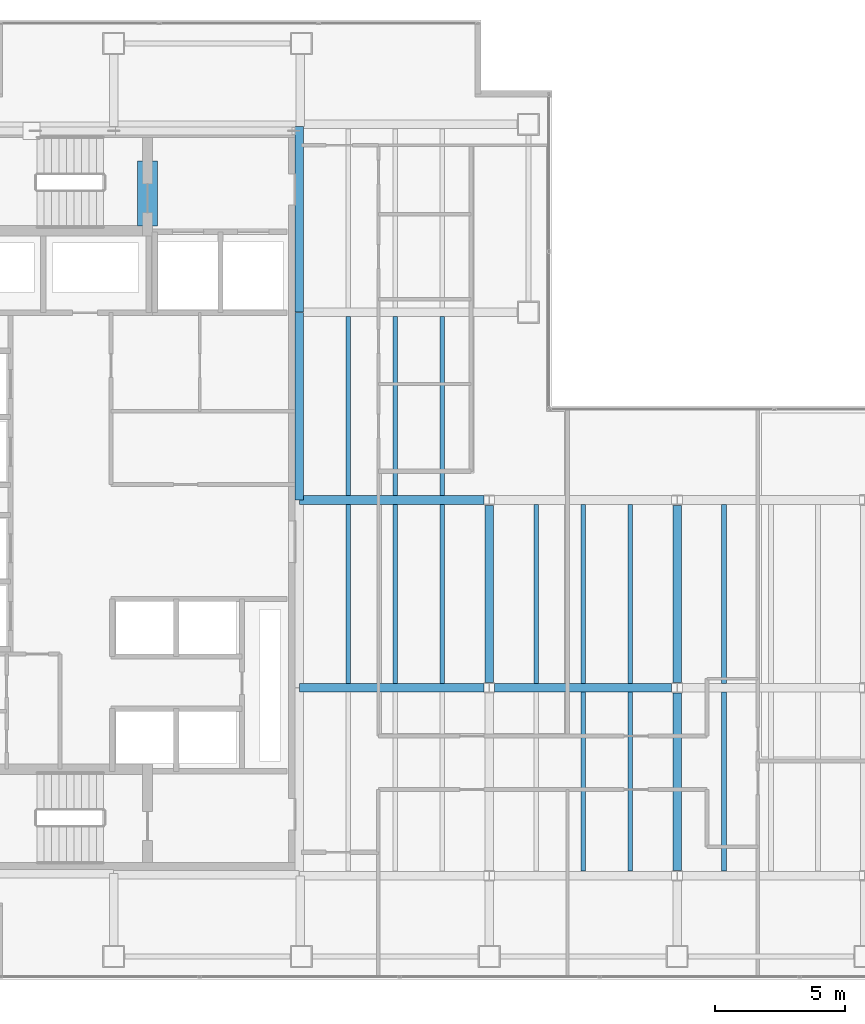
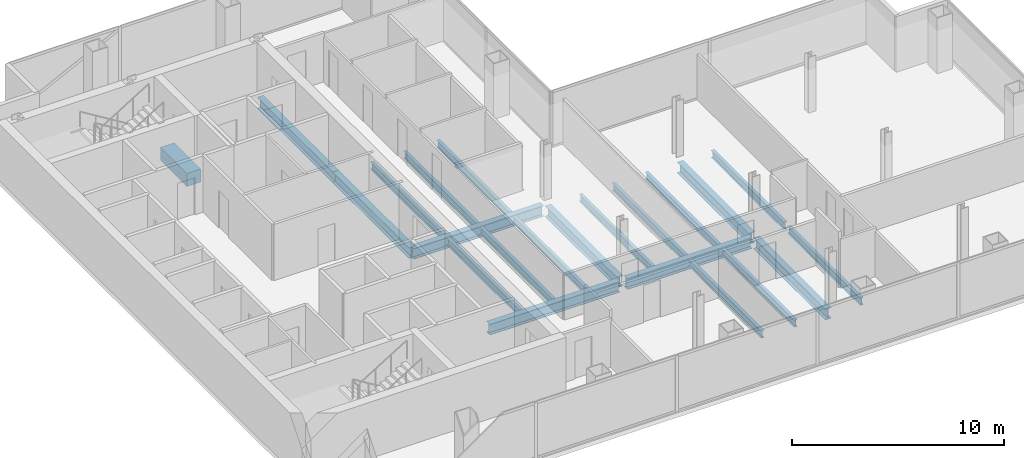
# One storey, part 7 of 23: 22 beams.
"""IFC4 building model written with IfcOpenShell, lengths in metres."""

from ifc_helpers import new_model, si_unit, direction, frame, origin, origin_2d, place, context, subcontext, project, spatial, rectangle, i_section, extrude, material, material_profile, profile_set, type_object, element, save


model = new_model("IFC4")

# Units and contexts
model_context = context("Model", 3, precision=1e-05, world=origin(), true_north=direction((0.0, 1.0)))
body_context = subcontext(model_context, "Body", "Model", "MODEL_VIEW")
ifc_project = project(units=[si_unit("LENGTHUNIT", "METRE"), si_unit("AREAUNIT", "SQUARE_METRE"), si_unit("VOLUMEUNIT", "CUBIC_METRE"), si_unit("PLANEANGLEUNIT", "RADIAN"), si_unit("MASSUNIT", "GRAM", prefix="KILO")], contexts=[model_context])

# Site, building, storey
site_placement = place(None, origin())
site = spatial("IfcSite", under=ifc_project, at=site_placement, CompositionType="ELEMENT")
building_placement = place(site_placement, origin())
building = spatial("IfcBuilding", under=site, at=building_placement, Name="Cobrela Telecom Tower", CompositionType="ELEMENT")
storey_placement = place(building_placement, frame((0.0, 0.0, 173.25)))
storey = spatial("IfcBuildingStorey", under=building, at=storey_placement, Name="L43", CompositionType="ELEMENT", Elevation=173.25)

# Beams
ifc_material_1 = material(Name="Concrete C40/50", Category="concrete")
ifc_material_profile_1 = material_profile(ifc_material_1, rectangle(XDim=0.75, YDim=0.75, at=origin_2d()), Name="RC 750x750")
ifc_profile_set_1 = profile_set([ifc_material_profile_1], Name="Concrete C40/50")
beam_type_1 = type_object("IfcBeamType", Name="BM-COUP-RC", PredefinedType="LINTEL", material=ifc_profile_set_1)
beam_1_placement = place(storey_placement, frame((8.5, 32.10009765625, -0.610107421875), z_axis=(0.0, 1.0, 0.0), x_axis=(-1.0, 0.0, 0.0)))
element("IfcBeam", 1, at=beam_1_placement, inside=storey, type_object=beam_type_1, Name="L43 Core Coupling Lintel Beam", PredefinedType="LINTEL", context=body_context, shape_type="SweptSolid", body=[
    extrude(rectangle(XDim=0.75, YDim=0.75, at=origin_2d()), origin(), (0.0, 0.0, 1.0), 2.5),
])
ifc_material_2 = material(Name="Steel ASTM A992 Grade 50", Category="steel")
ifc_material_profile_2 = material_profile(ifc_material_2, i_section(OverallWidth=0.327880859375, OverallDepth=0.6220703125, WebThickness=0.015380859375, FlangeThickness=0.0244140625, FilletRadius=0.014892578125, at=origin_2d()), Name="W24X131")
ifc_profile_set_2 = profile_set([ifc_material_profile_2], Name="Steel ASTM A992 Grade 50")
beam_type_2 = type_object("IfcBeamType", Name="BM-GIRD-06", PredefinedType="USERDEFINED", material=ifc_profile_set_2)
beam_2_placement = place(storey_placement, frame((14.324951171875, 14.39990234375, -0.571044921875), z_axis=(1.0, 0.0, 0.0), x_axis=(0.0, 1.0, 0.0)))
element("IfcBeam", 2, at=beam_2_placement, inside=storey, type_object=beam_type_2, Name="L43 Primary Girder X11", ObjectType="GIRDER", PredefinedType="USERDEFINED", context=body_context, shape_type="SweptSolid", body=[
    extrude(i_section(OverallWidth=0.327880859375, OverallDepth=0.6220703125, WebThickness=0.015380859375, FlangeThickness=0.0244140625, FilletRadius=0.014892578125, at=origin_2d()), origin(), (0.0, 0.0, 1.0), 7.070556640625),
])
beam_3_placement = place(storey_placement, frame((21.804443359375, 14.39990234375, -0.571044921875), z_axis=(1.0, 0.0, 0.0), x_axis=(0.0, 1.0, 0.0)))
element("IfcBeam", 3, at=beam_3_placement, inside=storey, type_object=beam_type_2, Name="L43 Primary Girder X12", ObjectType="GIRDER", PredefinedType="USERDEFINED", context=body_context, shape_type="SweptSolid", body=[
    extrude(i_section(OverallWidth=0.327880859375, OverallDepth=0.6220703125, WebThickness=0.015380859375, FlangeThickness=0.0244140625, FilletRadius=0.014892578125, at=origin_2d()), origin(), (0.0, 0.0, 1.0), 6.791015625),
])
beam_4_placement = place(storey_placement, frame((14.324951171875, 21.60009765625, -0.571044921875), z_axis=(1.0, 0.0, 0.0), x_axis=(0.0, 1.0, 0.0)))
element("IfcBeam", 4, at=beam_4_placement, inside=storey, type_object=beam_type_2, Name="L43 Primary Girder X15", ObjectType="GIRDER", PredefinedType="USERDEFINED", context=body_context, shape_type="SweptSolid", body=[
    extrude(i_section(OverallWidth=0.327880859375, OverallDepth=0.6220703125, WebThickness=0.015380859375, FlangeThickness=0.0244140625, FilletRadius=0.014892578125, at=origin_2d()), origin(), (0.0, 0.0, 1.0), 7.070556640625),
])
beam_5_placement = place(storey_placement, frame((14.320068359375, 21.60498046875, -0.571044921875), z_axis=(0.0, 1.0, 0.0), x_axis=(-1.0, 0.0, 0.0)))
element("IfcBeam", 5, at=beam_5_placement, inside=storey, type_object=beam_type_2, Name="L43 Primary Girder Y29", ObjectType="GIRDER", PredefinedType="USERDEFINED", context=body_context, shape_type="SweptSolid", body=[
    extrude(i_section(OverallWidth=0.327880859375, OverallDepth=0.6220703125, WebThickness=0.015380859375, FlangeThickness=0.0244140625, FilletRadius=0.014892578125, at=origin_2d()), origin(), (0.0, 0.0, 1.0), 7.18994140625),
])
beam_6_placement = place(storey_placement, frame((14.320068359375, 28.804931640625, -0.571044921875), z_axis=(0.0, 1.0, 0.0), x_axis=(-1.0, 0.0, 0.0)))
element("IfcBeam", 6, at=beam_6_placement, inside=storey, type_object=beam_type_2, Name="L43 Primary Girder Y30", ObjectType="GIRDER", PredefinedType="USERDEFINED", context=body_context, shape_type="SweptSolid", body=[
    extrude(i_section(OverallWidth=0.327880859375, OverallDepth=0.6220703125, WebThickness=0.015380859375, FlangeThickness=0.0244140625, FilletRadius=0.014892578125, at=origin_2d()), origin(), (0.0, 0.0, 1.0), 7.110107421875),
])
for number, where, z_axis, x_axis, name in (
    (7, (21.60009765625, 14.6044921875, -0.571044921875), (0.0, 1.0, 0.0), (-1.0, 0.0, 0.0), "L43 Primary Girder Y34"),
    (8, (28.800048828125, 7.404541015625, -0.571044921875), (0.0, 1.0, 0.0), (-1.0, 0.0, 0.0), "L43 Primary Girder Y37"),
    (9, (28.800048828125, 14.6044921875, -0.571044921875), (0.0, 1.0, 0.0), (-1.0, 0.0, 0.0), "L43 Primary Girder Y38"),
):
    element("IfcBeam", number, at=place(storey_placement, frame(where, z_axis=z_axis, x_axis=x_axis)), inside=storey, type_object=beam_type_2, Name=name, ObjectType="GIRDER", PredefinedType="USERDEFINED", context=body_context, shape_type="SweptSolid", body=[
        extrude(i_section(OverallWidth=0.327880859375, OverallDepth=0.6220703125, WebThickness=0.015380859375, FlangeThickness=0.0244140625, FilletRadius=0.014892578125, at=origin_2d()), origin(), (0.0, 0.0, 1.0), 6.791015625),
    ])
ifc_material_profile_3 = material_profile(ifc_material_2, i_section(OverallWidth=0.179931640625, OverallDepth=0.4169921875, WebThickness=0.010986328125, FlangeThickness=0.01806640625, FilletRadius=0.011962890625, at=origin_2d()), Name="W16X57")
ifc_profile_set_3 = profile_set([ifc_material_profile_3], Name="Steel ASTM A992 Grade 50")
beam_type_3 = type_object("IfcBeamType", Name="BM-JOIST-04", PredefinedType="JOIST", material=ifc_profile_set_3)
beam_7_placement = place(storey_placement, frame((16.199951171875, 14.569091796875, -0.468505859375), z_axis=(0.0, 1.0, 0.0), x_axis=(-1.0, 0.0, 0.0)))
element("IfcBeam", 10, at=beam_7_placement, inside=storey, type_object=beam_type_3, Name="L43 Secondary Composite Floor Beam J02", PredefinedType="JOIST", context=body_context, shape_type="SweptSolid", body=[
    extrude(i_section(OverallWidth=0.179931640625, OverallDepth=0.4169921875, WebThickness=0.010986328125, FlangeThickness=0.01806640625, FilletRadius=0.011962890625, at=origin_2d()), origin(), (0.0, 0.0, 1.0), 6.86181640625),
])
beam_8_placement = place(storey_placement, frame((16.199951171875, 21.76904296875, -0.468505859375), z_axis=(0.0, 1.0, 0.0), x_axis=(-1.0, 0.0, 0.0)))
element("IfcBeam", 11, at=beam_8_placement, inside=storey, type_object=beam_type_3, Name="L43 Secondary Composite Floor Beam J03", PredefinedType="JOIST", context=body_context, shape_type="SweptSolid", body=[
    extrude(i_section(OverallWidth=0.179931640625, OverallDepth=0.4169921875, WebThickness=0.010986328125, FlangeThickness=0.01806640625, FilletRadius=0.011962890625, at=origin_2d()), origin(), (0.0, 0.0, 1.0), 6.862060546875),
])
beam_9_placement = place(storey_placement, frame((18.0, 14.569091796875, -0.468505859375), z_axis=(0.0, 1.0, 0.0), x_axis=(-1.0, 0.0, 0.0)))
element("IfcBeam", 12, at=beam_9_placement, inside=storey, type_object=beam_type_3, Name="L43 Secondary Composite Floor Beam J06", PredefinedType="JOIST", context=body_context, shape_type="SweptSolid", body=[
    extrude(i_section(OverallWidth=0.179931640625, OverallDepth=0.4169921875, WebThickness=0.010986328125, FlangeThickness=0.01806640625, FilletRadius=0.011962890625, at=origin_2d()), origin(), (0.0, 0.0, 1.0), 6.86181640625),
])
beam_10_placement = place(storey_placement, frame((18.0, 21.76904296875, -0.468505859375), z_axis=(0.0, 1.0, 0.0), x_axis=(-1.0, 0.0, 0.0)))
element("IfcBeam", 13, at=beam_10_placement, inside=storey, type_object=beam_type_3, Name="L43 Secondary Composite Floor Beam J07", PredefinedType="JOIST", context=body_context, shape_type="SweptSolid", body=[
    extrude(i_section(OverallWidth=0.179931640625, OverallDepth=0.4169921875, WebThickness=0.010986328125, FlangeThickness=0.01806640625, FilletRadius=0.011962890625, at=origin_2d()), origin(), (0.0, 0.0, 1.0), 6.862060546875),
])
beam_11_placement = place(storey_placement, frame((19.800048828125, 14.569091796875, -0.468505859375), z_axis=(0.0, 1.0, 0.0), x_axis=(-1.0, 0.0, 0.0)))
element("IfcBeam", 14, at=beam_11_placement, inside=storey, type_object=beam_type_3, Name="L43 Secondary Composite Floor Beam J10", PredefinedType="JOIST", context=body_context, shape_type="SweptSolid", body=[
    extrude(i_section(OverallWidth=0.179931640625, OverallDepth=0.4169921875, WebThickness=0.010986328125, FlangeThickness=0.01806640625, FilletRadius=0.011962890625, at=origin_2d()), origin(), (0.0, 0.0, 1.0), 6.86181640625),
])
beam_12_placement = place(storey_placement, frame((19.800048828125, 21.76904296875, -0.468505859375), z_axis=(0.0, 1.0, 0.0), x_axis=(-1.0, 0.0, 0.0)))
element("IfcBeam", 15, at=beam_12_placement, inside=storey, type_object=beam_type_3, Name="L43 Secondary Composite Floor Beam J11", PredefinedType="JOIST", context=body_context, shape_type="SweptSolid", body=[
    extrude(i_section(OverallWidth=0.179931640625, OverallDepth=0.4169921875, WebThickness=0.010986328125, FlangeThickness=0.01806640625, FilletRadius=0.011962890625, at=origin_2d()), origin(), (0.0, 0.0, 1.0), 6.862060546875),
])
beam_13_placement = place(storey_placement, frame((23.39990234375, 14.569091796875, -0.468505859375), z_axis=(0.0, 1.0, 0.0), x_axis=(-1.0, 0.0, 0.0)))
element("IfcBeam", 16, at=beam_13_placement, inside=storey, type_object=beam_type_3, Name="L43 Secondary Composite Floor Beam J14", PredefinedType="JOIST", context=body_context, shape_type="SweptSolid", body=[
    extrude(i_section(OverallWidth=0.179931640625, OverallDepth=0.4169921875, WebThickness=0.010986328125, FlangeThickness=0.01806640625, FilletRadius=0.011962890625, at=origin_2d()), origin(), (0.0, 0.0, 1.0), 6.86181640625),
])
beam_14_placement = place(storey_placement, frame((25.199951171875, 7.368896484375, -0.468505859375), z_axis=(0.0, 1.0, 0.0), x_axis=(-1.0, 0.0, 0.0)))
element("IfcBeam", 17, at=beam_14_placement, inside=storey, type_object=beam_type_3, Name="L43 Secondary Composite Floor Beam J15", PredefinedType="JOIST", context=body_context, shape_type="SweptSolid", body=[
    extrude(i_section(OverallWidth=0.179931640625, OverallDepth=0.4169921875, WebThickness=0.010986328125, FlangeThickness=0.01806640625, FilletRadius=0.011962890625, at=origin_2d()), origin(), (0.0, 0.0, 1.0), 6.862060546875),
])
beam_15_placement = place(storey_placement, frame((25.199951171875, 14.569091796875, -0.468505859375), z_axis=(0.0, 1.0, 0.0), x_axis=(-1.0, 0.0, 0.0)))
element("IfcBeam", 18, at=beam_15_placement, inside=storey, type_object=beam_type_3, Name="L43 Secondary Composite Floor Beam J16", PredefinedType="JOIST", context=body_context, shape_type="SweptSolid", body=[
    extrude(i_section(OverallWidth=0.179931640625, OverallDepth=0.4169921875, WebThickness=0.010986328125, FlangeThickness=0.01806640625, FilletRadius=0.011962890625, at=origin_2d()), origin(), (0.0, 0.0, 1.0), 6.86181640625),
])
beam_16_placement = place(storey_placement, frame((27.0, 7.368896484375, -0.468505859375), z_axis=(0.0, 1.0, 0.0), x_axis=(-1.0, 0.0, 0.0)))
element("IfcBeam", 19, at=beam_16_placement, inside=storey, type_object=beam_type_3, Name="L43 Secondary Composite Floor Beam J17", PredefinedType="JOIST", context=body_context, shape_type="SweptSolid", body=[
    extrude(i_section(OverallWidth=0.179931640625, OverallDepth=0.4169921875, WebThickness=0.010986328125, FlangeThickness=0.01806640625, FilletRadius=0.011962890625, at=origin_2d()), origin(), (0.0, 0.0, 1.0), 6.862060546875),
])
beam_17_placement = place(storey_placement, frame((27.0, 14.569091796875, -0.468505859375), z_axis=(0.0, 1.0, 0.0), x_axis=(-1.0, 0.0, 0.0)))
element("IfcBeam", 20, at=beam_17_placement, inside=storey, type_object=beam_type_3, Name="L43 Secondary Composite Floor Beam J18", PredefinedType="JOIST", context=body_context, shape_type="SweptSolid", body=[
    extrude(i_section(OverallWidth=0.179931640625, OverallDepth=0.4169921875, WebThickness=0.010986328125, FlangeThickness=0.01806640625, FilletRadius=0.011962890625, at=origin_2d()), origin(), (0.0, 0.0, 1.0), 6.86181640625),
])
beam_18_placement = place(storey_placement, frame((30.60009765625, 7.368896484375, -0.468505859375), z_axis=(0.0, 1.0, 0.0), x_axis=(-1.0, 0.0, 0.0)))
element("IfcBeam", 21, at=beam_18_placement, inside=storey, type_object=beam_type_3, Name="L43 Secondary Composite Floor Beam J19", PredefinedType="JOIST", context=body_context, shape_type="SweptSolid", body=[
    extrude(i_section(OverallWidth=0.179931640625, OverallDepth=0.4169921875, WebThickness=0.010986328125, FlangeThickness=0.01806640625, FilletRadius=0.011962890625, at=origin_2d()), origin(), (0.0, 0.0, 1.0), 6.862060546875),
])
beam_19_placement = place(storey_placement, frame((30.60009765625, 14.569091796875, -0.468505859375), z_axis=(0.0, 1.0, 0.0), x_axis=(-1.0, 0.0, 0.0)))
element("IfcBeam", 22, at=beam_19_placement, inside=storey, type_object=beam_type_3, Name="L43 Secondary Composite Floor Beam J20", PredefinedType="JOIST", context=body_context, shape_type="SweptSolid", body=[
    extrude(i_section(OverallWidth=0.179931640625, OverallDepth=0.4169921875, WebThickness=0.010986328125, FlangeThickness=0.01806640625, FilletRadius=0.011962890625, at=origin_2d()), origin(), (0.0, 0.0, 1.0), 6.86181640625),
])

save(model, "model.ifc")
